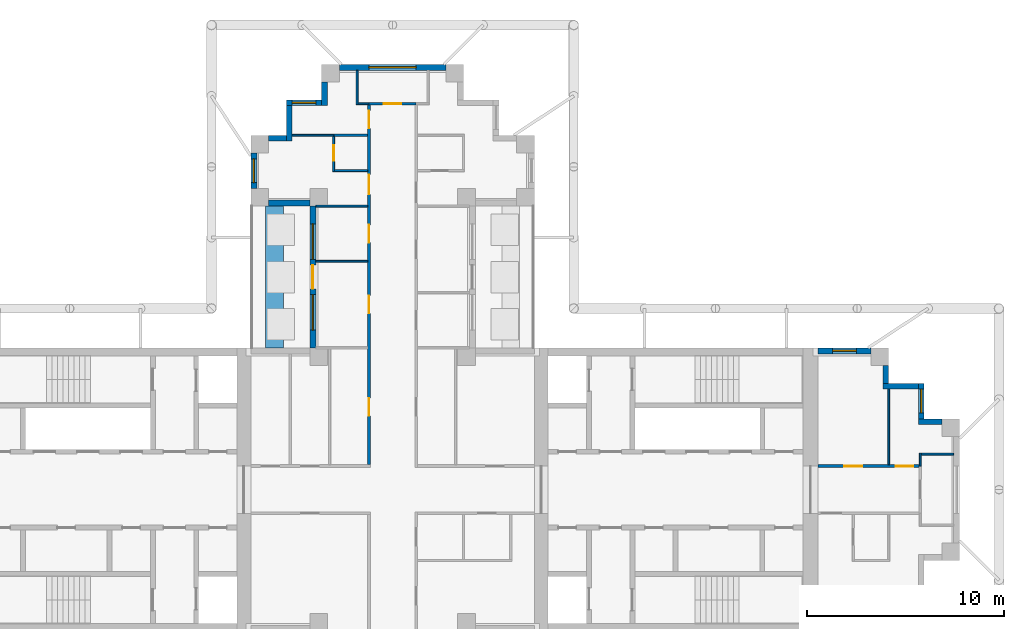
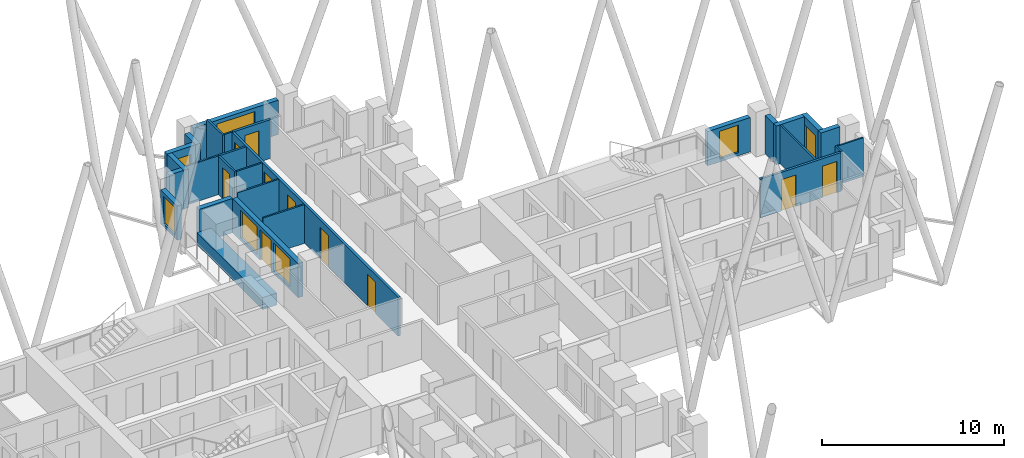
# One storey, part 7 of 11: 28 walls, 10 doors, 7 windows, 17 openings.
"""IFC4 building model written with IfcOpenShell, lengths in metres."""

from ifc_helpers import new_model, si_unit, direction, frame, frame_2d, origin, place, context, subcontext, project, spatial, rectangle, extrude, material, layer, layer_set, type_object, element, fill, save


model = new_model("IFC4")

# Units and contexts
model_context = context("Model", 3, precision=1e-05, world=origin(), true_north=direction((0.0, 1.0)))
body_context = subcontext(model_context, "Body", "Model", "MODEL_VIEW")
ifc_project = project(units=[si_unit("LENGTHUNIT", "METRE"), si_unit("AREAUNIT", "SQUARE_METRE"), si_unit("VOLUMEUNIT", "CUBIC_METRE"), si_unit("PLANEANGLEUNIT", "RADIAN"), si_unit("MASSUNIT", "GRAM", prefix="KILO")], contexts=[model_context])

# Site, building, storey
site_placement = place(None, origin())
site = spatial("IfcSite", under=ifc_project, at=site_placement, CompositionType="ELEMENT")
building_placement = place(site_placement, origin())
building = spatial("IfcBuilding", under=site, at=building_placement, Name="Fustian Cross Tower", CompositionType="ELEMENT")
storey_placement = place(building_placement, frame((0.0, 0.0, 210.89990234375)))
storey = spatial("IfcBuildingStorey", under=building, at=storey_placement, Name="L66", CompositionType="ELEMENT", Elevation=210.89990234375)

# Wall, openings, doors
ifc_material_1 = material(Name="Plasterboard on steel stud", Category="steel")
ifc_layer_1 = layer(ifc_material_1, 0.14990234375)
ifc_layer_set_1 = layer_set([ifc_layer_1], Name="Plasterboard on steel stud")
wall_type_1 = type_object("IfcWallType", Name="COMPARTMENT WALL 150 EI 60", PredefinedType="PARTITIONING", material=ifc_layer_set_1)
wall_1_placement = place(storey_placement, frame((-1.199951171875, 1.27490234375, 0.0), z_axis=(0.0, 0.0, 1.0), x_axis=(0.0, 1.0, 0.0)))
wall_1 = element("IfcWall", 1, at=wall_1_placement, inside=storey, type_object=wall_type_1, Name="Partition 30", PredefinedType="PARTITIONING", context=body_context, shape_type="SweptSolid", body=[
    extrude(rectangle(XDim=18.25, YDim=0.14990234375, at=frame_2d((9.125, 0.0))), origin(), (0.0, 0.0, 1.0), 2.60009765625),
])
opening_1_placement = place(wall_1_placement, frame((2.47509765625, 0.0, 0.0)))
opening_1 = element("IfcOpeningElement", 2, at=opening_1_placement, cuts=wall_1, Name="Opening D30003", PredefinedType="OPENING", context=body_context, shape_type="SweptSolid", body=[
    extrude(rectangle(XDim=0.89990234375, YDim=2.10009765625, at=frame_2d((0.449951171875, 1.050048828125))), frame((0.0, 0.0849609375, 0.0), z_axis=(0.0, -1.0, 0.0), x_axis=(1.0, 0.0, 0.0)), (0.0, 0.0, 1.0), 0.169921875),
])
opening_2_placement = place(wall_1_placement, frame((11.27490234375, 0.0, 0.0)))
opening_2 = element("IfcOpeningElement", 3, at=opening_2_placement, cuts=wall_1, Name="Opening D30016", PredefinedType="OPENING", context=body_context, shape_type="SweptSolid", body=[
    extrude(rectangle(XDim=0.89990234375, YDim=2.10009765625, at=frame_2d((0.449951171875, 1.050048828125))), frame((0.0, 0.0849609375, 0.0), z_axis=(0.0, -1.0, 0.0), x_axis=(1.0, 0.0, 0.0)), (0.0, 0.0, 1.0), 0.169921875),
])
opening_3_placement = place(wall_1_placement, frame((7.675048828125, 0.0, 0.0)))
opening_3 = element("IfcOpeningElement", 4, at=opening_3_placement, cuts=wall_1, Name="Opening D30017", PredefinedType="OPENING", context=body_context, shape_type="SweptSolid", body=[
    extrude(rectangle(XDim=0.89990234375, YDim=2.10009765625, at=frame_2d((0.449951171875, 1.050048828125))), frame((0.0, 0.0849609375, 0.0), z_axis=(0.0, -1.0, 0.0), x_axis=(1.0, 0.0, 0.0)), (0.0, 0.0, 1.0), 0.169921875),
])
opening_4_placement = place(wall_1_placement, frame((13.72509765625, 0.0, 0.0)))
opening_4 = element("IfcOpeningElement", 5, at=opening_4_placement, cuts=wall_1, Name="Opening D30019", PredefinedType="OPENING", context=body_context, shape_type="SweptSolid", body=[
    extrude(rectangle(XDim=1.0, YDim=2.10009765625, at=frame_2d((0.5, 1.050048828125))), frame((0.0, 0.0849609375, 0.0), z_axis=(0.0, -1.0, 0.0), x_axis=(1.0, 0.0, 0.0)), (0.0, 0.0, 1.0), 0.169921875),
])
opening_5_placement = place(wall_1_placement, frame((17.074951171875, 0.0, 0.0)))
opening_5 = element("IfcOpeningElement", 6, at=opening_5_placement, cuts=wall_1, Name="Opening D30020", PredefinedType="OPENING", context=body_context, shape_type="SweptSolid", body=[
    extrude(rectangle(XDim=0.89990234375, YDim=2.10009765625, at=frame_2d((0.449951171875, 1.050048828125))), frame((0.0, 0.0849609375, 0.0), z_axis=(0.0, -1.0, 0.0), x_axis=(1.0, 0.0, 0.0)), (0.0, 0.0, 1.0), 0.169921875),
])
ifc_material_2 = material(Name="Timber fire door set", Category="wood")
door_type_1 = type_object("IfcDoorType", Name="FIRE SWING DOOR 1000 FD30S", OperationType="SINGLE_SWING_LEFT", PredefinedType="DOOR", material=ifc_material_2)
door_1_placement = place(opening_4_placement, origin())
door_1 = element("IfcDoor", 7, at=door_1_placement, inside=storey, type_object=door_type_1, Name="Door D30019", OperationType="SINGLE_SWING_RIGHT", OverallHeight=2.10009765625, OverallWidth=1.0, PredefinedType="DOOR", context=body_context, shape_type="SweptSolid", body=[
    extrude(rectangle(XDim=1.0, YDim=2.10009765625, at=frame_2d((0.5, 1.050048828125))), frame((0.0, 0.02490234375, 0.0), z_axis=(0.0, -1.0, 0.0), x_axis=(1.0, 0.0, 0.0)), (0.0, 0.0, 1.0), 0.050048828125),
])
fill(opening_4, door_1)
ifc_material_3 = material(Name="Timber fire door set", Category="wood")
door_type_2 = type_object("IfcDoorType", Name="FIRE SWING DOOR 900 FD30S", OperationType="SINGLE_SWING_LEFT", PredefinedType="DOOR", material=ifc_material_3)
door_2_placement = place(opening_1_placement, origin())
door_2 = element("IfcDoor", 8, at=door_2_placement, inside=storey, type_object=door_type_2, Name="Door D30003", OperationType="SINGLE_SWING_LEFT", OverallHeight=2.10009765625, OverallWidth=0.89990234375, PredefinedType="DOOR", context=body_context, shape_type="SweptSolid", body=[
    extrude(rectangle(XDim=0.89990234375, YDim=2.10009765625, at=frame_2d((0.449951171875, 1.050048828125))), frame((0.0, 0.02490234375, 0.0), z_axis=(0.0, -1.0, 0.0), x_axis=(1.0, 0.0, 0.0)), (0.0, 0.0, 1.0), 0.050048828125),
])
fill(opening_1, door_2)
door_3_placement = place(opening_2_placement, origin())
door_3 = element("IfcDoor", 9, at=door_3_placement, inside=storey, type_object=door_type_2, Name="Door D30016", OperationType="SINGLE_SWING_LEFT", OverallHeight=2.10009765625, OverallWidth=0.89990234375, PredefinedType="DOOR", context=body_context, shape_type="SweptSolid", body=[
    extrude(rectangle(XDim=0.89990234375, YDim=2.10009765625, at=frame_2d((0.449951171875, 1.050048828125))), frame((0.0, 0.02490234375, 0.0), z_axis=(0.0, -1.0, 0.0), x_axis=(1.0, 0.0, 0.0)), (0.0, 0.0, 1.0), 0.050048828125),
])
fill(opening_2, door_3)
door_4_placement = place(opening_3_placement, origin())
door_4 = element("IfcDoor", 10, at=door_4_placement, inside=storey, type_object=door_type_2, Name="Door D30017", OperationType="SINGLE_SWING_LEFT", OverallHeight=2.10009765625, OverallWidth=0.89990234375, PredefinedType="DOOR", context=body_context, shape_type="SweptSolid", body=[
    extrude(rectangle(XDim=0.89990234375, YDim=2.10009765625, at=frame_2d((0.449951171875, 1.050048828125))), frame((0.0, 0.02490234375, 0.0), z_axis=(0.0, -1.0, 0.0), x_axis=(1.0, 0.0, 0.0)), (0.0, 0.0, 1.0), 0.050048828125),
])
fill(opening_3, door_4)
door_5_placement = place(opening_5_placement, origin())
door_5 = element("IfcDoor", 11, at=door_5_placement, inside=storey, type_object=door_type_2, Name="Door D30020", OperationType="SINGLE_SWING_LEFT", OverallHeight=2.10009765625, OverallWidth=0.89990234375, PredefinedType="DOOR", context=body_context, shape_type="SweptSolid", body=[
    extrude(rectangle(XDim=0.89990234375, YDim=2.10009765625, at=frame_2d((0.449951171875, 1.050048828125))), frame((0.0, 0.02490234375, 0.0), z_axis=(0.0, -1.0, 0.0), x_axis=(1.0, 0.0, 0.0)), (0.0, 0.0, 1.0), 0.050048828125),
])
fill(opening_5, door_5)

# Wall, opening, door
wall_2_placement = place(storey_placement, frame((-1.199951171875, 19.60009765625, 0.0), z_axis=(0.0, 0.0, 1.0), x_axis=(1.0, 0.0, 0.0)))
wall_2 = element("IfcWall", 12, at=wall_2_placement, inside=storey, type_object=wall_type_1, Name="Partition 31", PredefinedType="PARTITIONING", context=body_context, shape_type="SweptSolid", body=[
    extrude(rectangle(XDim=2.39990234375, YDim=0.14990234375, at=frame_2d((1.199951171875, 0.0))), origin(), (0.0, 0.0, 1.0), 2.60009765625),
])
opening_6_placement = place(wall_2_placement, frame((0.75, 0.0, 0.0)))
opening_6 = element("IfcOpeningElement", 13, at=opening_6_placement, cuts=wall_2, Name="Opening D30015", PredefinedType="OPENING", context=body_context, shape_type="SweptSolid", body=[
    extrude(rectangle(XDim=0.89990234375, YDim=2.10009765625, at=frame_2d((0.449951171875, 1.050048828125))), frame((0.0, 0.0849609375, 0.0), z_axis=(0.0, -1.0, 0.0), x_axis=(1.0, 0.0, 0.0)), (0.0, 0.0, 1.0), 0.169921875),
])
door_6_placement = place(opening_6_placement, origin())
door_6 = element("IfcDoor", 14, at=door_6_placement, inside=storey, type_object=door_type_2, Name="Door D30015", OperationType="SINGLE_SWING_LEFT", OverallHeight=2.10009765625, OverallWidth=0.89990234375, PredefinedType="DOOR", context=body_context, shape_type="SweptSolid", body=[
    extrude(rectangle(XDim=0.89990234375, YDim=2.10009765625, at=frame_2d((0.449951171875, 1.050048828125))), frame((0.0, 0.02490234375, 0.0), z_axis=(0.0, -1.0, 0.0), x_axis=(1.0, 0.0, 0.0)), (0.0, 0.0, 1.0), 0.050048828125),
])
fill(opening_6, door_6)

# Wall, openings, doors
wall_3_placement = place(storey_placement, frame((21.60009765625, 1.199951171875, 0.0), z_axis=(0.0, 0.0, 1.0), x_axis=(1.0, 0.0, 0.0)))
wall_3 = element("IfcWall", 15, at=wall_3_placement, inside=storey, type_object=wall_type_1, Name="Partition 53", PredefinedType="PARTITIONING", context=body_context, shape_type="SweptSolid", body=[
    extrude(rectangle(XDim=5.125, YDim=0.14990234375, at=frame_2d((2.5625, 0.0))), origin(), (0.0, 0.0, 1.0), 2.60009765625),
])
opening_7_placement = place(wall_3_placement, frame((1.35009765625, 0.0, 0.0)))
opening_7 = element("IfcOpeningElement", 16, at=opening_7_placement, cuts=wall_3, Name="Opening D30011", PredefinedType="OPENING", context=body_context, shape_type="SweptSolid", body=[
    extrude(rectangle(XDim=0.89990234375, YDim=2.10009765625, at=frame_2d((0.449951171875, 1.050048828125))), frame((0.0, 0.0849609375, 0.0), z_axis=(0.0, -1.0, 0.0), x_axis=(1.0, 0.0, 0.0)), (0.0, 0.0, 1.0), 0.169921875),
])
opening_8_placement = place(wall_3_placement, frame((3.949951171875, 0.0, 0.0)))
opening_8 = element("IfcOpeningElement", 17, at=opening_8_placement, cuts=wall_3, Name="Opening D30012", PredefinedType="OPENING", context=body_context, shape_type="SweptSolid", body=[
    extrude(rectangle(XDim=0.89990234375, YDim=2.10009765625, at=frame_2d((0.449951171875, 1.050048828125))), frame((0.0, 0.0849609375, 0.0), z_axis=(0.0, -1.0, 0.0), x_axis=(1.0, 0.0, 0.0)), (0.0, 0.0, 1.0), 0.169921875),
])
door_7_placement = place(opening_7_placement, origin())
door_7 = element("IfcDoor", 18, at=door_7_placement, inside=storey, type_object=door_type_2, Name="Door D30011", OperationType="SINGLE_SWING_LEFT", OverallHeight=2.10009765625, OverallWidth=0.89990234375, PredefinedType="DOOR", context=body_context, shape_type="SweptSolid", body=[
    extrude(rectangle(XDim=0.89990234375, YDim=2.10009765625, at=frame_2d((0.449951171875, 1.050048828125))), frame((0.0, 0.02490234375, 0.0), z_axis=(0.0, -1.0, 0.0), x_axis=(1.0, 0.0, 0.0)), (0.0, 0.0, 1.0), 0.050048828125),
])
fill(opening_7, door_7)
door_8_placement = place(opening_8_placement, origin())
door_8 = element("IfcDoor", 19, at=door_8_placement, inside=storey, type_object=door_type_2, Name="Door D30012", OperationType="SINGLE_SWING_LEFT", OverallHeight=2.10009765625, OverallWidth=0.89990234375, PredefinedType="DOOR", context=body_context, shape_type="SweptSolid", body=[
    extrude(rectangle(XDim=0.89990234375, YDim=2.10009765625, at=frame_2d((0.449951171875, 1.050048828125))), frame((0.0, 0.02490234375, 0.0), z_axis=(0.0, -1.0, 0.0), x_axis=(1.0, 0.0, 0.0)), (0.0, 0.0, 1.0), 0.050048828125),
])
fill(opening_8, door_8)

# Walls
ifc_material_4 = material(Name="Plasterboard on steel stud", Category="steel")
ifc_layer_2 = layer(ifc_material_4, 0.10009765625)
ifc_layer_set_2 = layer_set([ifc_layer_2], Name="Plasterboard on steel stud")
wall_type_2 = type_object("IfcWallType", Name="PARTITION 100 STUD", PredefinedType="PARTITIONING", material=ifc_layer_set_2)
wall_4_placement = place(storey_placement, frame((-5.10009765625, 18.0, 0.0), z_axis=(0.0, 0.0, 1.0), x_axis=(1.0, 0.0, 0.0)))
element("IfcWall", 20, at=wall_4_placement, inside=storey, type_object=wall_type_2, Name="Partition 13", PredefinedType="PARTITIONING", context=body_context, shape_type="SweptSolid", body=[
    extrude(rectangle(XDim=2.10009765625, YDim=0.10009765625, at=frame_2d((1.050048828125, 0.0))), origin(), (0.0, 0.0, 1.0), 2.60009765625),
])
for number, where, z_axis, x_axis, name in (
    (21, (-3.89990234375, 11.60009765625, 0.0), (0.0, 0.0, 1.0), (1.0, 0.0, 0.0), "Partition 18"),
    (22, (-3.89990234375, 14.39990234375, 0.0), (0.0, 0.0, 1.0), (1.0, 0.0, 0.0), "Partition 19"),
):
    element("IfcWall", number, at=place(storey_placement, frame(where, z_axis=z_axis, x_axis=x_axis)), inside=storey, type_object=wall_type_2, Name=name, PredefinedType="PARTITIONING", context=body_context, shape_type="SweptSolid", body=[
        extrude(rectangle(XDim=2.625, YDim=0.10009765625, at=frame_2d((1.3125, 0.0))), origin(), (0.0, 0.0, 1.0), 2.60009765625),
    ])

# Wall, opening, door
wall_5_placement = place(storey_placement, frame((-3.0, 16.14990234375, 0.0), z_axis=(0.0, 0.0, 1.0), x_axis=(0.0, 1.0, 0.0)))
wall_5 = element("IfcWall", 23, at=wall_5_placement, inside=storey, type_object=wall_type_2, Name="Partition 21", PredefinedType="PARTITIONING", context=body_context, shape_type="SweptSolid", body=[
    extrude(rectangle(XDim=1.78759765625, YDim=0.10009765625, at=frame_2d((0.893798828125, 0.0))), origin(), (0.0, 0.0, 1.0), 2.60009765625),
])
opening_9_placement = place(wall_5_placement, frame((0.550048828125, 0.0, 0.0)))
opening_9 = element("IfcOpeningElement", 24, at=opening_9_placement, cuts=wall_5, Name="Opening D30018", PredefinedType="OPENING", context=body_context, shape_type="SweptSolid", body=[
    extrude(rectangle(XDim=0.800048828125, YDim=2.10009765625, at=frame_2d((0.39990234375, 1.050048828125))), frame((0.0, 0.06005859375, 0.0), z_axis=(0.0, -1.0, 0.0), x_axis=(1.0, 0.0, 0.0)), (0.0, 0.0, 1.0), 0.1201171875),
])
ifc_material_5 = material(Name="Painted timber", Category="wood")
door_type_3 = type_object("IfcDoorType", Name="SWING DOOR 800", OperationType="SINGLE_SWING_LEFT", PredefinedType="DOOR", material=ifc_material_5)
door_9_placement = place(opening_9_placement, frame((0.800048828125, 0.0, 0.0), z_axis=(0.0, 0.0, 1.0), x_axis=(-1.0, 0.0, 0.0)))
door_9 = element("IfcDoor", 25, at=door_9_placement, inside=storey, type_object=door_type_3, Name="Door D30018", OperationType="SINGLE_SWING_LEFT", OverallHeight=2.10009765625, OverallWidth=0.800048828125, PredefinedType="DOOR", context=body_context, shape_type="SweptSolid", body=[
    extrude(rectangle(XDim=0.800048828125, YDim=2.10009765625, at=frame_2d((0.39990234375, 1.050048828125))), frame((0.0, 0.02490234375, 0.0), z_axis=(0.0, -1.0, 0.0), x_axis=(1.0, 0.0, 0.0)), (0.0, 0.0, 1.0), 0.050048828125),
])
fill(opening_9, door_9)

# Walls
wall_6_placement = place(storey_placement, frame((-2.949951171875, 16.199951171875, 0.0), z_axis=(0.0, 0.0, 1.0), x_axis=(1.0, 0.0, 0.0)))
element("IfcWall", 26, at=wall_6_placement, inside=storey, type_object=wall_type_2, Name="Partition 22", PredefinedType="PARTITIONING", context=body_context, shape_type="SweptSolid", body=[
    extrude(rectangle(XDim=1.675048828125, YDim=0.10009765625, at=frame_2d((0.83740234375, 0.0))), origin(), (0.0, 0.0, 1.0), 2.60009765625),
])
wall_7_placement = place(storey_placement, frame((-1.800048828125, 19.550048828125, 0.0), z_axis=(0.0, 0.0, 1.0), x_axis=(0.0, 1.0, 0.0)))
element("IfcWall", 27, at=wall_7_placement, inside=storey, type_object=wall_type_2, Name="Partition 26", PredefinedType="PARTITIONING", context=body_context, shape_type="SweptSolid", body=[
    extrude(rectangle(XDim=1.75, YDim=0.10009765625, at=frame_2d((0.875, 0.0))), origin(), (0.0, 0.0, 1.0), 2.60009765625),
])
wall_8_placement = place(storey_placement, frame((-1.75, 19.60009765625, 0.0), z_axis=(0.0, 0.0, 1.0), x_axis=(1.0, 0.0, 0.0)))
element("IfcWall", 28, at=wall_8_placement, inside=storey, type_object=wall_type_2, Name="Partition 27", PredefinedType="PARTITIONING", context=body_context, shape_type="SweptSolid", body=[
    extrude(rectangle(XDim=0.550048828125, YDim=0.10009765625, at=frame_2d((0.27490234375, 0.0))), origin(), (0.0, 0.0, 1.0), 2.60009765625),
])
wall_9_placement = place(storey_placement, frame((25.199951171875, 1.27490234375, 0.0), z_axis=(0.0, 0.0, 1.0), x_axis=(0.0, 1.0, 0.0)))
element("IfcWall", 29, at=wall_9_placement, inside=storey, type_object=wall_type_2, Name="Partition 57", PredefinedType="PARTITIONING", context=body_context, shape_type="SweptSolid", body=[
    extrude(rectangle(XDim=3.8251953125, YDim=0.10009765625, at=frame_2d((1.91259765625, 0.0))), origin(), (0.0, 0.0, 1.0), 2.60009765625),
])
wall_10_placement = place(storey_placement, frame((26.800048828125, 1.199951171875, 0.0), z_axis=(0.0, 0.0, 1.0), x_axis=(0.0, 1.0, 0.0)))
element("IfcWall", 30, at=wall_10_placement, inside=storey, type_object=wall_type_2, Name="Partition 61", PredefinedType="PARTITIONING", context=body_context, shape_type="SweptSolid", body=[
    extrude(rectangle(XDim=0.650146484375, YDim=0.10009765625, at=frame_2d((0.3251953125, 0.0))), origin(), (0.0, 0.0, 1.0), 2.60009765625),
])
wall_11_placement = place(storey_placement, frame((26.85009765625, 1.800048828125, 0.0), z_axis=(0.0, 0.0, 1.0), x_axis=(1.0, 0.0, 0.0)))
element("IfcWall", 31, at=wall_11_placement, inside=storey, type_object=wall_type_2, Name="Partition 62", PredefinedType="PARTITIONING", context=body_context, shape_type="SweptSolid", body=[
    extrude(rectangle(XDim=1.64990234375, YDim=0.10009765625, at=frame_2d((0.824951171875, 0.0))), origin(), (0.0, 0.0, 1.0), 2.60009765625),
])
ifc_material_6 = material(Name="Concrete C40/50", Category="concrete")
ifc_layer_3 = layer(ifc_material_6, 0.89990234375)
ifc_layer_set_3 = layer_set([ifc_layer_3], Name="Concrete C40/50")
wall_type_3 = type_object("IfcWallType", Name="PK1 PLANTER 900", PredefinedType="PARAPET", material=ifc_layer_set_3)
wall_12_placement = place(storey_placement, frame((-6.0, 7.199951171875, 0.0), z_axis=(0.0, 0.0, 1.0), x_axis=(0.0, 1.0, 0.0)))
element("IfcWall", 32, at=wall_12_placement, inside=storey, type_object=wall_type_3, Name="PLANTER", PredefinedType="PARAPET", context=body_context, shape_type="SweptSolid", body=[
    extrude(rectangle(XDim=7.199951171875, YDim=0.89990234375, at=frame_2d((3.60009765625, 0.0))), origin(), (0.0, 0.0, 1.0), 0.800048828125),
])
ifc_material_7 = material(Name="Plasterboard on steel stud", Category="steel")
ifc_layer_4 = layer(ifc_material_7, 0.125)
ifc_layer_set_4 = layer_set([ifc_layer_4], Name="Plasterboard on steel stud")
wall_type_4 = type_object("IfcWallType", Name="WET WALL 125 STUD", PredefinedType="PARTITIONING", material=ifc_layer_set_4)
wall_13_placement = place(storey_placement, frame((-3.0, 18.0, 0.0), z_axis=(0.0, 0.0, 1.0), x_axis=(1.0, 0.0, 0.0)))
element("IfcWall", 33, at=wall_13_placement, inside=storey, type_object=wall_type_4, Name="Partition 23", PredefinedType="PARTITIONING", context=body_context, shape_type="SweptSolid", body=[
    extrude(rectangle(XDim=1.72509765625, YDim=0.125, at=frame_2d((0.862548828125, 0.0))), origin(), (0.0, 0.0, 1.0), 2.60009765625),
])
ifc_material_8 = material(Name="Dark aluminium cladding on insulated backing wall", Category="aluminium")
ifc_layer_5 = layer(ifc_material_8, 0.300048828125)
ifc_layer_set_5 = layer_set([ifc_layer_5], Name="Dark aluminium cladding on insulated backing wall")
wall_type_5 = type_object("IfcWallType", Name="XW1 EXTERNAL WALL 300", PredefinedType="SOLIDWALL", material=ifc_layer_set_5)
wall_14_placement = place(storey_placement, frame((27.89990234375, 3.449951171875, 0.0), z_axis=(0.0, 0.0, 1.0), x_axis=(-1.0, 0.0, 0.0)))
element("IfcWall", 34, at=wall_14_placement, inside=storey, type_object=wall_type_5, Name="External wall", PredefinedType="SOLIDWALL", context=body_context, shape_type="SweptSolid", body=[
    extrude(rectangle(XDim=1.199951171875, YDim=0.300048828125, at=frame_2d((0.60009765625, 0.0))), origin(), (0.0, 0.0, 1.0), 2.60009765625),
])

# Wall, opening, window
wall_15_placement = place(storey_placement, frame((26.85009765625, 3.60009765625, 0.0), z_axis=(0.0, 0.0, 1.0), x_axis=(0.0, 1.0, 0.0)))
wall_15 = element("IfcWall", 35, at=wall_15_placement, inside=storey, type_object=wall_type_5, Name="External wall", PredefinedType="SOLIDWALL", context=body_context, shape_type="SweptSolid", body=[
    extrude(rectangle(XDim=1.7998046875, YDim=0.300048828125, at=frame_2d((0.89990234375, 0.0))), origin(), (0.0, 0.0, 1.0), 2.60009765625),
])
opening_10_placement = place(wall_15_placement, frame((0.300048828125, 0.0, 0.199951171875)))
opening_10 = element("IfcOpeningElement", 36, at=opening_10_placement, cuts=wall_15, Name="Opening WN3", PredefinedType="OPENING", context=body_context, shape_type="SweptSolid", body=[
    extrude(rectangle(XDim=1.199951171875, YDim=1.85009765625, at=frame_2d((0.60009765625, 0.925048828125))), frame((0.0, 0.159912109375, 0.0), z_axis=(0.0, -1.0, 0.0), x_axis=(1.0, 0.0, 0.0)), (0.0, 0.0, 1.0), 0.320068359375),
])
ifc_material_9 = material(Name="Dark anodised aluminium and double glazing", Category="aluminium")
window_type_1 = type_object("IfcWindowType", Name="WN3 WINDOW 1200X1850", PartitioningType="SINGLE_PANEL", PredefinedType="WINDOW", material=ifc_material_9)
window_1_placement = place(opening_10_placement, origin())
window_1 = element("IfcWindow", 37, at=window_1_placement, inside=storey, type_object=window_type_1, Name="Window", OverallHeight=1.85009765625, OverallWidth=1.199951171875, PartitioningType="SINGLE_PANEL", PredefinedType="WINDOW", context=body_context, shape_type="SweptSolid", body=[
    extrude(rectangle(XDim=1.199951171875, YDim=1.85009765625, at=frame_2d((0.60009765625, 0.925048828125))), frame((0.0, 0.030029296875, 0.0), z_axis=(0.0, -1.0, 0.0), x_axis=(1.0, 0.0, 0.0)), (0.0, 0.0, 1.0), 0.06005859375),
])
fill(opening_10, window_1)

# Walls
wall_16_placement = place(storey_placement, frame((26.699951171875, 5.25, 0.0), z_axis=(0.0, 0.0, 1.0), x_axis=(-1.0, 0.0, 0.0)))
element("IfcWall", 38, at=wall_16_placement, inside=storey, type_object=wall_type_5, Name="External wall", PredefinedType="SOLIDWALL", context=body_context, shape_type="SweptSolid", body=[
    extrude(rectangle(XDim=1.800048828125, YDim=0.300048828125, at=frame_2d((0.89990234375, 0.0))), origin(), (0.0, 0.0, 1.0), 2.60009765625),
])
wall_17_placement = place(storey_placement, frame((25.050048828125, 5.39990234375, 0.0), z_axis=(0.0, 0.0, 1.0), x_axis=(0.0, 1.0, 0.0)))
element("IfcWall", 39, at=wall_17_placement, inside=storey, type_object=wall_type_5, Name="External wall", PredefinedType="SOLIDWALL", context=body_context, shape_type="SweptSolid", body=[
    extrude(rectangle(XDim=0.900146484375, YDim=0.300048828125, at=frame_2d((0.4501953125, 0.0))), origin(), (0.0, 0.0, 1.0), 2.60009765625),
])

# Wall, opening, window
wall_18_placement = place(storey_placement, frame((24.300048828125, 7.050048828125, 0.0), z_axis=(0.0, 0.0, 1.0), x_axis=(-1.0, 0.0, 0.0)))
wall_18 = element("IfcWall", 40, at=wall_18_placement, inside=storey, type_object=wall_type_5, Name="External wall", PredefinedType="SOLIDWALL", context=body_context, shape_type="SweptSolid", body=[
    extrude(rectangle(XDim=2.699951171875, YDim=0.300048828125, at=frame_2d((1.35009765625, 0.0))), origin(), (0.0, 0.0, 1.0), 2.300048828125),
])
opening_11_placement = place(wall_18_placement, frame((0.75, 0.0, 0.199951171875)))
opening_11 = element("IfcOpeningElement", 41, at=opening_11_placement, cuts=wall_18, Name="Opening WN3", PredefinedType="OPENING", context=body_context, shape_type="SweptSolid", body=[
    extrude(rectangle(XDim=1.199951171875, YDim=1.85009765625, at=frame_2d((0.60009765625, 0.925048828125))), frame((0.0, 0.159912109375, 0.0), z_axis=(0.0, -1.0, 0.0), x_axis=(1.0, 0.0, 0.0)), (0.0, 0.0, 1.0), 0.320068359375),
])
window_2_placement = place(opening_11_placement, origin())
window_2 = element("IfcWindow", 42, at=window_2_placement, inside=storey, type_object=window_type_1, Name="Window", OverallHeight=1.85009765625, OverallWidth=1.199951171875, PartitioningType="SINGLE_PANEL", PredefinedType="WINDOW", context=body_context, shape_type="SweptSolid", body=[
    extrude(rectangle(XDim=1.199951171875, YDim=1.85009765625, at=frame_2d((0.60009765625, 0.925048828125))), frame((0.0, 0.030029296875, 0.0), z_axis=(0.0, -1.0, 0.0), x_axis=(1.0, 0.0, 0.0)), (0.0, 0.0, 1.0), 0.06005859375),
])
fill(opening_11, window_2)

wall_19_placement = place(storey_placement, frame((2.699951171875, 21.449951171875, 0.0), z_axis=(0.0, 0.0, 1.0), x_axis=(-1.0, 0.0, 0.0)))
wall_19 = element("IfcWall", 43, at=wall_19_placement, inside=storey, type_object=wall_type_5, Name="External wall", PredefinedType="SOLIDWALL", context=body_context, shape_type="SweptSolid", body=[
    extrude(rectangle(XDim=5.39990234375, YDim=0.300048828125, at=frame_2d((2.699951171875, 0.0))), origin(), (0.0, 0.0, 1.0), 2.300048828125),
])
opening_12_placement = place(wall_19_placement, frame((1.5, 0.0, 0.199951171875)))
opening_12 = element("IfcOpeningElement", 44, at=opening_12_placement, cuts=wall_19, Name="Opening WN1", PredefinedType="OPENING", context=body_context, shape_type="SweptSolid", body=[
    extrude(rectangle(XDim=2.39990234375, YDim=1.85009765625, at=frame_2d((1.199951171875, 0.925048828125))), frame((0.0, 0.159912109375, 0.0), z_axis=(0.0, -1.0, 0.0), x_axis=(1.0, 0.0, 0.0)), (0.0, 0.0, 1.0), 0.320068359375),
])
ifc_material_10 = material(Name="Dark anodised aluminium and double glazing", Category="aluminium")
window_type_2 = type_object("IfcWindowType", Name="WN1 WINDOW 2400X1850", PartitioningType="SINGLE_PANEL", PredefinedType="WINDOW", material=ifc_material_10)
window_3_placement = place(opening_12_placement, origin())
window_3 = element("IfcWindow", 45, at=window_3_placement, inside=storey, type_object=window_type_2, Name="Window", OverallHeight=1.85009765625, OverallWidth=2.39990234375, PartitioningType="SINGLE_PANEL", PredefinedType="WINDOW", context=body_context, shape_type="SweptSolid", body=[
    extrude(rectangle(XDim=2.39990234375, YDim=1.85009765625, at=frame_2d((1.199951171875, 0.925048828125))), frame((0.0, 0.030029296875, 0.0), z_axis=(0.0, -1.0, 0.0), x_axis=(1.0, 0.0, 0.0)), (0.0, 0.0, 1.0), 0.06005859375),
])
fill(opening_12, window_3)

# Wall
wall_20_placement = place(storey_placement, frame((-3.449951171875, 20.699951171875, 0.0), z_axis=(0.0, 0.0, 1.0), x_axis=(0.0, -1.0, 0.0)))
element("IfcWall", 46, at=wall_20_placement, inside=storey, type_object=wall_type_5, Name="External wall", PredefinedType="SOLIDWALL", context=body_context, shape_type="SweptSolid", body=[
    extrude(rectangle(XDim=1.199951171875, YDim=0.300048828125, at=frame_2d((0.60009765625, 0.0))), origin(), (0.0, 0.0, 1.0), 2.60009765625),
])

# Wall, opening, window
wall_21_placement = place(storey_placement, frame((-3.60009765625, 19.64990234375, 0.0), z_axis=(0.0, 0.0, 1.0), x_axis=(-1.0, 0.0, 0.0)))
wall_21 = element("IfcWall", 47, at=wall_21_placement, inside=storey, type_object=wall_type_5, Name="External wall", PredefinedType="SOLIDWALL", context=body_context, shape_type="SweptSolid", body=[
    extrude(rectangle(XDim=1.7998046875, YDim=0.300048828125, at=frame_2d((0.89990234375, 0.0))), origin(), (0.0, 0.0, 1.0), 2.60009765625),
])
opening_13_placement = place(wall_21_placement, frame((0.300048828125, 0.0, 0.199951171875)))
opening_13 = element("IfcOpeningElement", 48, at=opening_13_placement, cuts=wall_21, Name="Opening WN3", PredefinedType="OPENING", context=body_context, shape_type="SweptSolid", body=[
    extrude(rectangle(XDim=1.199951171875, YDim=1.85009765625, at=frame_2d((0.60009765625, 0.925048828125))), frame((0.0, 0.159912109375, 0.0), z_axis=(0.0, -1.0, 0.0), x_axis=(1.0, 0.0, 0.0)), (0.0, 0.0, 1.0), 0.320068359375),
])
window_4_placement = place(opening_13_placement, origin())
window_4 = element("IfcWindow", 49, at=window_4_placement, inside=storey, type_object=window_type_1, Name="Window", OverallHeight=1.85009765625, OverallWidth=1.199951171875, PartitioningType="SINGLE_PANEL", PredefinedType="WINDOW", context=body_context, shape_type="SweptSolid", body=[
    extrude(rectangle(XDim=1.199951171875, YDim=1.85009765625, at=frame_2d((0.60009765625, 0.925048828125))), frame((0.0, 0.030029296875, 0.0), z_axis=(0.0, -1.0, 0.0), x_axis=(1.0, 0.0, 0.0)), (0.0, 0.0, 1.0), 0.06005859375),
])
fill(opening_13, window_4)

# Walls
wall_22_placement = place(storey_placement, frame((-5.25, 19.5, 0.0), z_axis=(0.0, 0.0, 1.0), x_axis=(0.0, -1.0, 0.0)))
element("IfcWall", 50, at=wall_22_placement, inside=storey, type_object=wall_type_5, Name="External wall", PredefinedType="SOLIDWALL", context=body_context, shape_type="SweptSolid", body=[
    extrude(rectangle(XDim=1.800048828125, YDim=0.300048828125, at=frame_2d((0.89990234375, 0.0))), origin(), (0.0, 0.0, 1.0), 2.60009765625),
])
wall_23_placement = place(storey_placement, frame((-5.39990234375, 17.85009765625, 0.0), z_axis=(0.0, 0.0, 1.0), x_axis=(-1.0, 0.0, 0.0)))
element("IfcWall", 51, at=wall_23_placement, inside=storey, type_object=wall_type_5, Name="External wall", PredefinedType="SOLIDWALL", context=body_context, shape_type="SweptSolid", body=[
    extrude(rectangle(XDim=0.900146484375, YDim=0.300048828125, at=frame_2d((0.4501953125, 0.0))), origin(), (0.0, 0.0, 1.0), 2.60009765625),
])

# Wall, opening, window
wall_24_placement = place(storey_placement, frame((-7.050048828125, 17.10009765625, 0.0), z_axis=(0.0, 0.0, 1.0), x_axis=(0.0, -1.0, 0.0)))
wall_24 = element("IfcWall", 52, at=wall_24_placement, inside=storey, type_object=wall_type_5, Name="External wall", PredefinedType="SOLIDWALL", context=body_context, shape_type="SweptSolid", body=[
    extrude(rectangle(XDim=1.800048828125, YDim=0.300048828125, at=frame_2d((0.89990234375, 0.0))), origin(), (0.0, 0.0, 1.0), 2.300048828125),
])
opening_14_placement = place(wall_24_placement, frame((0.300048828125, 0.0, 0.199951171875)))
opening_14 = element("IfcOpeningElement", 53, at=opening_14_placement, cuts=wall_24, Name="Opening WN3", PredefinedType="OPENING", context=body_context, shape_type="SweptSolid", body=[
    extrude(rectangle(XDim=1.199951171875, YDim=1.85009765625, at=frame_2d((0.60009765625, 0.925048828125))), frame((0.0, 0.159912109375, 0.0), z_axis=(0.0, -1.0, 0.0), x_axis=(1.0, 0.0, 0.0)), (0.0, 0.0, 1.0), 0.320068359375),
])
window_5_placement = place(opening_14_placement, origin())
window_5 = element("IfcWindow", 54, at=window_5_placement, inside=storey, type_object=window_type_1, Name="Window", OverallHeight=1.85009765625, OverallWidth=1.199951171875, PartitioningType="SINGLE_PANEL", PredefinedType="WINDOW", context=body_context, shape_type="SweptSolid", body=[
    extrude(rectangle(XDim=1.199951171875, YDim=1.85009765625, at=frame_2d((0.60009765625, 0.925048828125))), frame((0.0, 0.030029296875, 0.0), z_axis=(0.0, -1.0, 0.0), x_axis=(1.0, 0.0, 0.0)), (0.0, 0.0, 1.0), 0.06005859375),
])
fill(opening_14, window_5)

# Wall
wall_25_placement = place(storey_placement, frame((-6.300048828125, 14.550048828125, 0.0), z_axis=(0.0, 0.0, 1.0), x_axis=(1.0, 0.0, 0.0)))
element("IfcWall", 55, at=wall_25_placement, inside=storey, type_object=wall_type_5, Name="External wall", PredefinedType="SOLIDWALL", context=body_context, shape_type="SweptSolid", body=[
    extrude(rectangle(XDim=2.10009765625, YDim=0.300048828125, at=frame_2d((1.050048828125, 0.0))), origin(), (0.0, 0.0, 1.0), 2.300048828125),
])

# Wall, openings, door, windows
wall_26_placement = place(storey_placement, frame((-4.050048828125, 14.39990234375, 0.0), z_axis=(0.0, 0.0, 1.0), x_axis=(0.0, -1.0, 0.0)))
wall_26 = element("IfcWall", 56, at=wall_26_placement, inside=storey, type_object=wall_type_5, Name="External wall", PredefinedType="SOLIDWALL", context=body_context, shape_type="SweptSolid", body=[
    extrude(rectangle(XDim=7.199951171875, YDim=0.300048828125, at=frame_2d((3.60009765625, 0.0))), origin(), (0.0, 0.0, 1.0), 2.300048828125),
])
opening_15_placement = place(wall_26_placement, frame((3.0, 0.0, 0.0)))
opening_15 = element("IfcOpeningElement", 57, at=opening_15_placement, cuts=wall_26, Name="Opening XD2", PredefinedType="OPENING", context=body_context, shape_type="SweptSolid", body=[
    extrude(rectangle(XDim=1.199951171875, YDim=2.050048828125, at=frame_2d((0.60009765625, 1.02490234375))), frame((0.0, 0.159912109375, 0.0), z_axis=(0.0, -1.0, 0.0), x_axis=(1.0, 0.0, 0.0)), (0.0, 0.0, 1.0), 0.320068359375),
])
opening_16_placement = place(wall_26_placement, frame((0.89990234375, 0.0, 0.199951171875)))
opening_16 = element("IfcOpeningElement", 58, at=opening_16_placement, cuts=wall_26, Name="Opening WN2", PredefinedType="OPENING", context=body_context, shape_type="SweptSolid", body=[
    extrude(rectangle(XDim=1.800048828125, YDim=1.85009765625, at=frame_2d((0.89990234375, 0.925048828125))), frame((0.0, 0.159912109375, 0.0), z_axis=(0.0, -1.0, 0.0), x_axis=(1.0, 0.0, 0.0)), (0.0, 0.0, 1.0), 0.320068359375),
])
opening_17_placement = place(wall_26_placement, frame((4.5, 0.0, 0.199951171875)))
opening_17 = element("IfcOpeningElement", 59, at=opening_17_placement, cuts=wall_26, Name="Opening WN2", PredefinedType="OPENING", context=body_context, shape_type="SweptSolid", body=[
    extrude(rectangle(XDim=1.800048828125, YDim=1.85009765625, at=frame_2d((0.89990234375, 0.925048828125))), frame((0.0, 0.159912109375, 0.0), z_axis=(0.0, -1.0, 0.0), x_axis=(1.0, 0.0, 0.0)), (0.0, 0.0, 1.0), 0.320068359375),
])
ifc_material_11 = material(Name="Dark anodised aluminium and double glazing", Category="aluminium")
door_type_4 = type_object("IfcDoorType", Name="ED1 BALCONY DOOR 1200X2050", OperationType="SINGLE_SWING_LEFT", PredefinedType="DOOR", material=ifc_material_11)
door_10_placement = place(opening_15_placement, origin())
door_10 = element("IfcDoor", 60, at=door_10_placement, inside=storey, type_object=door_type_4, Name="Balcony door", OperationType="SINGLE_SWING_LEFT", OverallHeight=2.050048828125, OverallWidth=1.199951171875, PredefinedType="DOOR", context=body_context, shape_type="SweptSolid", body=[
    extrude(rectangle(XDim=1.199951171875, YDim=2.050048828125, at=frame_2d((0.60009765625, 1.02490234375))), frame((0.0, 0.02490234375, 0.0), z_axis=(0.0, -1.0, 0.0), x_axis=(1.0, 0.0, 0.0)), (0.0, 0.0, 1.0), 0.050048828125),
])
fill(opening_15, door_10)
ifc_material_12 = material(Name="Dark anodised aluminium and double glazing", Category="aluminium")
window_type_3 = type_object("IfcWindowType", Name="WN2 WINDOW 1800X1850", PartitioningType="SINGLE_PANEL", PredefinedType="WINDOW", material=ifc_material_12)
window_6_placement = place(opening_16_placement, origin())
window_6 = element("IfcWindow", 61, at=window_6_placement, inside=storey, type_object=window_type_3, Name="Window", OverallHeight=1.85009765625, OverallWidth=1.800048828125, PartitioningType="SINGLE_PANEL", PredefinedType="WINDOW", context=body_context, shape_type="SweptSolid", body=[
    extrude(rectangle(XDim=1.800048828125, YDim=1.85009765625, at=frame_2d((0.89990234375, 0.925048828125))), frame((0.0, 0.030029296875, 0.0), z_axis=(0.0, -1.0, 0.0), x_axis=(1.0, 0.0, 0.0)), (0.0, 0.0, 1.0), 0.06005859375),
])
fill(opening_16, window_6)
window_7_placement = place(opening_17_placement, origin())
window_7 = element("IfcWindow", 62, at=window_7_placement, inside=storey, type_object=window_type_3, Name="Window", OverallHeight=1.85009765625, OverallWidth=1.800048828125, PartitioningType="SINGLE_PANEL", PredefinedType="WINDOW", context=body_context, shape_type="SweptSolid", body=[
    extrude(rectangle(XDim=1.800048828125, YDim=1.85009765625, at=frame_2d((0.89990234375, 0.925048828125))), frame((0.0, 0.030029296875, 0.0), z_axis=(0.0, -1.0, 0.0), x_axis=(1.0, 0.0, 0.0)), (0.0, 0.0, 1.0), 0.06005859375),
])
fill(opening_17, window_7)

save(model, "model.ifc")
